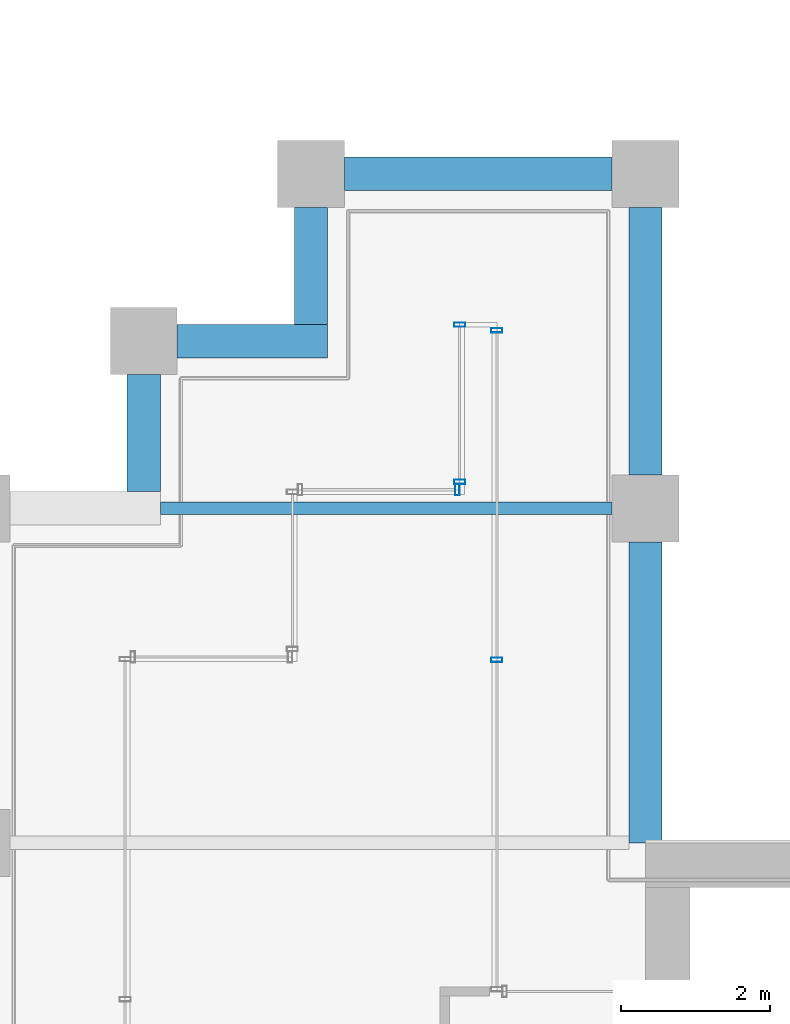
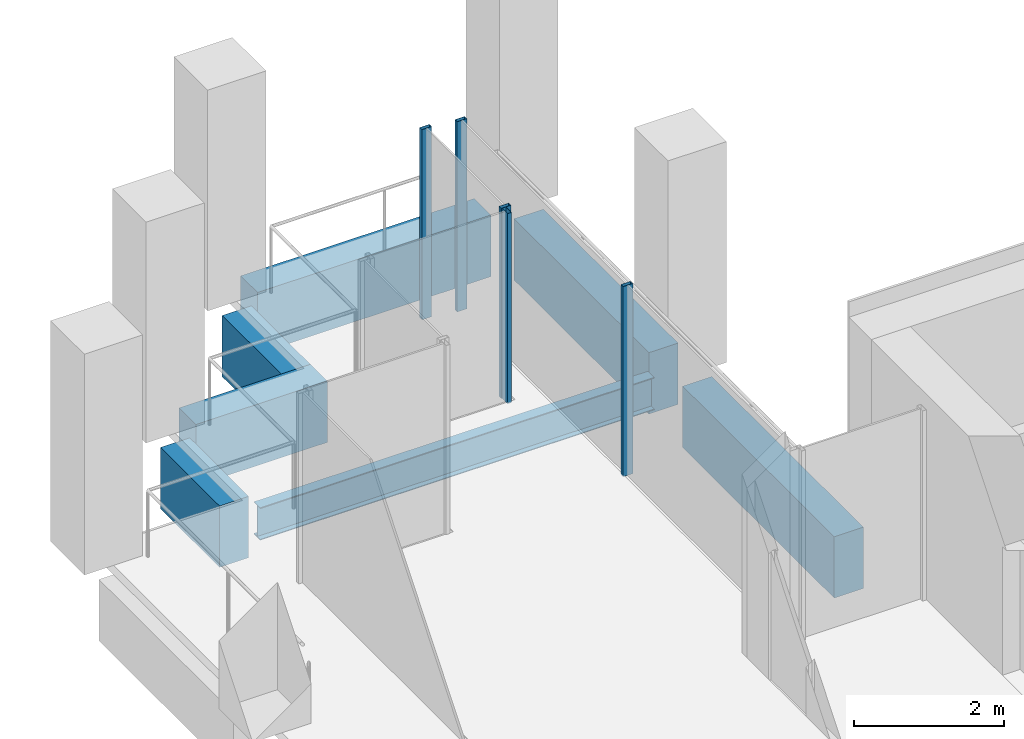
# One storey, part 33 of 40: 7 beams, 5 members, 3 elements without a shape of their own.
"""IFC4 building model written with IfcOpenShell, lengths in metres."""

from ifc_helpers import new_model, si_unit, direction, frame, origin, origin_2d, place, context, subcontext, project, spatial, rectangle, hollow_rectangle, i_section, extrude, material, material_profile, profile_set, type_object, element, aggregate, save


model = new_model("IFC4")

# Units and contexts
model_context = context("Model", 3, precision=1e-05, world=origin(), true_north=direction((0.0, 1.0)))
body_context = subcontext(model_context, "Body", "Model", "MODEL_VIEW")
ifc_project = project(units=[si_unit("LENGTHUNIT", "METRE"), si_unit("AREAUNIT", "SQUARE_METRE"), si_unit("VOLUMEUNIT", "CUBIC_METRE"), si_unit("PLANEANGLEUNIT", "RADIAN"), si_unit("MASSUNIT", "GRAM", prefix="KILO")], contexts=[model_context])

# Site, building, storey
site_placement = place(None, origin())
site = spatial("IfcSite", under=ifc_project, at=site_placement, CompositionType="ELEMENT")
building_placement = place(site_placement, origin())
building = spatial("IfcBuilding", under=site, at=building_placement, Name="Altepetl Exchange Towers", CompositionType="ELEMENT")
storey_placement = place(building_placement, frame((0.0, 0.0, 161.800048828125)))
storey = spatial("IfcBuildingStorey", under=building, at=storey_placement, Name="L40", CompositionType="ELEMENT", Elevation=161.800048828125)

# Beam
ifc_material_1 = material(Name="Steel S355", Category="steel")
ifc_material_profile_1 = material_profile(ifc_material_1, i_section(OverallWidth=0.166015625, OverallDepth=0.529052734375, WebThickness=0.009765625, FlangeThickness=0.013671875, at=origin_2d()), Name="W21X50")
ifc_profile_set_1 = profile_set([ifc_material_profile_1], Name="Steel S355")
beam_type_1 = type_object("IfcBeamType", Name="Floor beam W21X50", PredefinedType="BEAM", material=ifc_profile_set_1)
beam_1_placement = place(storey_placement, frame((96.97509765625, 54.0, -0.41455078125), z_axis=(1.0, 0.0, 0.0), x_axis=(0.0, 1.0, 0.0)))
element("IfcBeam", 1, at=beam_1_placement, inside=storey, type_object=beam_type_1, Name="bm:B:L40:007", PredefinedType="BEAM", context=body_context, shape_type="SweptSolid", body=[
    extrude(i_section(OverallWidth=0.166015625, OverallDepth=0.529052734375, WebThickness=0.009765625, FlangeThickness=0.013671875, at=origin_2d()), origin(), (0.0, 0.0, 1.0), 6.074951171875),
])

# Curtain wall, members
ifc_material_2 = material(Name="Aluminium 6063-T6 glazing", Category="aluminium")
curtain_wall_type = type_object("IfcCurtainWallType", Name="Loggia glazing system", PredefinedType="NOTDEFINED", material=ifc_material_2)
curtain_wall_1_placement = place(storey_placement, origin())
curtain_wall_1 = element("IfcCurtainWall", 2, at=curtain_wall_1_placement, inside=storey, type_object=curtain_wall_type, Name="CW1 run", PredefinedType="NOTDEFINED")
ifc_material_3 = material(Name="Aluminium 6063-T6", Category="aluminium")
ifc_material_profile_2 = material_profile(ifc_material_3, hollow_rectangle(XDim=0.06005859375, YDim=0.14990234375, WallThickness=0.0029296875, at=origin_2d()), Name="Mullion 60x150 aluminium")
ifc_profile_set_2 = profile_set([ifc_material_profile_2], Name="Aluminium 6063-T6")
member_type = type_object("IfcMemberType", Name="Mullion 60x150 aluminium", PredefinedType="MULLION", material=ifc_profile_set_2)
member_1_placement = place(storey_placement, frame((101.5, 51.96240234375, 0.0), z_axis=(0.0, 0.0, 1.0), x_axis=(0.0, 1.0, 0.0)))
member_1 = element("IfcMember", 3, at=member_1_placement, type_object=member_type, Name="MU1 mullion", PredefinedType="MULLION", context=body_context, shape_type="SweptSolid", body=[
    extrude(hollow_rectangle(XDim=0.06005859375, YDim=0.14990234375, WallThickness=0.0029296875, at=origin_2d()), origin(), (0.0, 0.0, 1.0), 3.099853515625),
])
member_2_placement = place(storey_placement, frame((101.5, 56.39501953125, 0.0), z_axis=(0.0, 0.0, 1.0), x_axis=(0.0, 1.0, 0.0)))
member_2 = element("IfcMember", 4, at=member_2_placement, type_object=member_type, Name="MU1 mullion", PredefinedType="MULLION", context=body_context, shape_type="SweptSolid", body=[
    extrude(hollow_rectangle(XDim=0.06005859375, YDim=0.14990234375, WallThickness=0.0029296875, at=origin_2d()), origin(), (0.0, 0.0, 1.0), 3.099853515625),
])
aggregate(curtain_wall_1, [member_1, member_2])

curtain_wall_2_placement = place(storey_placement, origin())
curtain_wall_2 = element("IfcCurtainWall", 5, at=curtain_wall_2_placement, inside=storey, type_object=curtain_wall_type, Name="CW1 run", PredefinedType="NOTDEFINED")
member_3_placement = place(storey_placement, frame((101.0, 56.469970703125, 0.0), z_axis=(0.0, 0.0, 1.0), x_axis=(0.0, -1.0, 0.0)))
member_3 = element("IfcMember", 6, at=member_3_placement, type_object=member_type, Name="MU1 mullion", PredefinedType="MULLION", context=body_context, shape_type="SweptSolid", body=[
    extrude(hollow_rectangle(XDim=0.06005859375, YDim=0.14990234375, WallThickness=0.0029296875, at=origin_2d()), origin(), (0.0, 0.0, 1.0), 3.099853515625),
])
member_4_placement = place(storey_placement, frame((101.0, 54.35498046875, 0.0), z_axis=(0.0, 0.0, 1.0), x_axis=(0.0, -1.0, 0.0)))
member_4 = element("IfcMember", 7, at=member_4_placement, type_object=member_type, Name="MU1 mullion", PredefinedType="MULLION", context=body_context, shape_type="SweptSolid", body=[
    extrude(hollow_rectangle(XDim=0.06005859375, YDim=0.14990234375, WallThickness=0.0029296875, at=origin_2d()), origin(), (0.0, 0.0, 1.0), 3.099853515625),
])
aggregate(curtain_wall_2, [member_3, member_4])

# Curtain wall, member
curtain_wall_3_placement = place(storey_placement, origin())
curtain_wall_3 = element("IfcCurtainWall", 8, at=curtain_wall_3_placement, inside=storey, type_object=curtain_wall_type, Name="CW1 run", PredefinedType="NOTDEFINED")
member_5_placement = place(storey_placement, frame((100.969970703125, 54.25, 0.0), z_axis=(0.0, 0.0, 1.0), x_axis=(-1.0, 0.0, 0.0)))
member_5 = element("IfcMember", 9, at=member_5_placement, type_object=member_type, Name="MU1 mullion", PredefinedType="MULLION", context=body_context, shape_type="SweptSolid", body=[
    extrude(hollow_rectangle(XDim=0.06005859375, YDim=0.14990234375, WallThickness=0.0029296875, at=origin_2d()), origin(), (0.0, 0.0, 1.0), 3.099853515625),
])
aggregate(curtain_wall_3, [member_5])

# Beams
ifc_material_4 = material(Name="Concrete C50/60 precast with cantera rosa facing", Category="concrete")
ifc_material_profile_3 = material_profile(ifc_material_4, rectangle(XDim=0.449951171875, YDim=1.0, at=origin_2d()), Name="450 x 1000")
ifc_profile_set_3 = profile_set([ifc_material_profile_3], Name="Concrete C50/60 precast with cantera rosa facing")
beam_type_2 = type_object("IfcBeamType", Name="Spandrel beam 450x1000 cantera rosa", PredefinedType="SPANDREL", material=ifc_profile_set_3)
beam_2_placement = place(storey_placement, frame((103.5, 49.5, -0.650146484375), z_axis=(0.0, 1.0, 0.0), x_axis=(-1.0, 0.0, 0.0)))
element("IfcBeam", 10, at=beam_2_placement, inside=storey, type_object=beam_type_2, Name="sp:B:L40:008", PredefinedType="SPANDREL", context=body_context, shape_type="SweptSolid", body=[
    extrude(rectangle(XDim=0.449951171875, YDim=1.0, at=origin_2d()), origin(), (0.0, 0.0, 1.0), 4.050048828125),
])
for number, where, z_axis, x_axis, name in (
    (11, (103.5, 54.449951171875, -0.650146484375), (0.0, 1.0, 0.0), (-1.0, 0.0, 0.0), "sp:B:L40:009"),
    (12, (103.050048828125, 58.5, -0.650146484375), (-1.0, 0.0, 0.0), (0.0, -1.0, 0.0), "sp:B:L40:010"),
):
    element("IfcBeam", number, at=place(storey_placement, frame(where, z_axis=z_axis, x_axis=x_axis)), inside=storey, type_object=beam_type_2, Name=name, PredefinedType="SPANDREL", context=body_context, shape_type="SweptSolid", body=[
        extrude(rectangle(XDim=0.449951171875, YDim=1.0, at=origin_2d()), origin(), (0.0, 0.0, 1.0), 3.60009765625),
    ])
beam_3_placement = place(storey_placement, frame((99.0, 58.050048828125, -0.650146484375), z_axis=(0.0, -1.0, 0.0), x_axis=(1.0, 0.0, 0.0)))
element("IfcBeam", 13, at=beam_3_placement, inside=storey, type_object=beam_type_2, Name="sp:B:L40:011", PredefinedType="SPANDREL", context=body_context, shape_type="SweptSolid", body=[
    extrude(rectangle(XDim=0.449951171875, YDim=1.0, at=origin_2d()), origin(), (0.0, 0.0, 1.0), 1.574951171875),
])
beam_4_placement = place(storey_placement, frame((99.22509765625, 56.25, -0.650146484375), z_axis=(-1.0, 0.0, 0.0), x_axis=(0.0, -1.0, 0.0)))
element("IfcBeam", 14, at=beam_4_placement, inside=storey, type_object=beam_type_2, Name="sp:B:L40:012", PredefinedType="SPANDREL", context=body_context, shape_type="SweptSolid", body=[
    extrude(rectangle(XDim=0.449951171875, YDim=1.0, at=origin_2d()), origin(), (0.0, 0.0, 1.0), 2.025146484375),
])
beam_5_placement = place(storey_placement, frame((96.75, 55.800048828125, -0.650146484375), z_axis=(0.0, -1.0, 0.0), x_axis=(1.0, 0.0, 0.0)))
element("IfcBeam", 15, at=beam_5_placement, inside=storey, type_object=beam_type_2, Name="sp:B:L40:013", PredefinedType="SPANDREL", context=body_context, shape_type="SweptSolid", body=[
    extrude(rectangle(XDim=0.449951171875, YDim=1.0, at=origin_2d()), origin(), (0.0, 0.0, 1.0), 1.574951171875),
])

save(model, "model.ifc")
